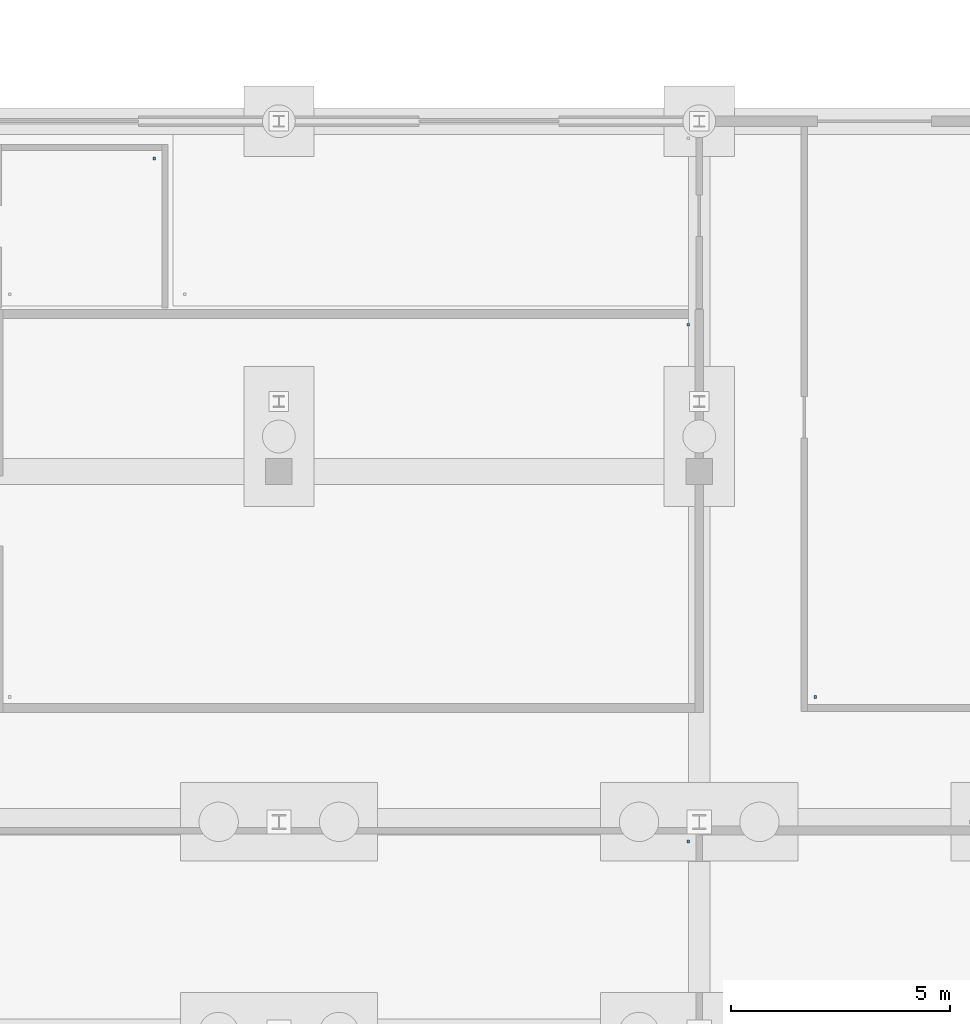
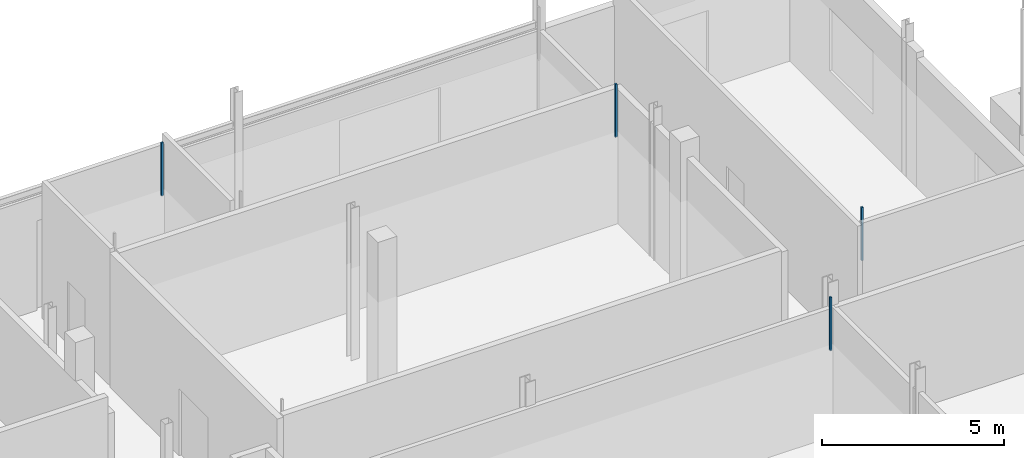
# One storey, part 81 of 111: 4 discrete accessories.
"""IFC4 building model written with IfcOpenShell, lengths in metres."""

import ifcopenshell
import ifcopenshell.guid

model = None  # the IFC model being written
_history = None  # IfcOwnerHistory: only IFC2X3 demands one
_inside = {}  # id of a spatial element -> (the spatial element, [elements in it])
_under = {}  # id of a project, library or spatial element -> (it, [spatial elements below it])
_declared = {}  # id of a project -> (the project, [libraries it declares])
_typed = {}  # id of a type object -> (the type object, [elements of that type])
_made_of = {}  # id of a material, layer set ... -> (it, [elements and type objects made of it])


def new_model(schema):
    """Start an empty IFC model of exactly this schema.

    Asked for "IFC4X3", IfcOpenShell would pick the latest addendum, in which some entities
    have other attributes; the version numbers below select the first issue.
    IFC2X3 requires an IfcOwnerHistory on every rooted entity: one is made here for all.
    """
    global model, _history
    if schema == "IFC4X3":
        model = ifcopenshell.file(schema_version=(4, 3, 0, 0))
    else:
        model = ifcopenshell.file(schema=schema)
    _inside.clear()
    _under.clear()
    _declared.clear()
    _typed.clear()
    _made_of.clear()
    _history = None
    if model.schema == "IFC2X3":
        org = make("IfcOrganization", Name="unknown")
        user = make(
            "IfcPersonAndOrganization",
            ThePerson=make("IfcPerson", FamilyName="unknown"),
            TheOrganization=org,
        )
        app = make(
            "IfcApplication",
            ApplicationDeveloper=org,
            Version="unknown",
            ApplicationFullName="unknown",
            ApplicationIdentifier="unknown",
        )
        _history = make(
            "IfcOwnerHistory",
            OwningUser=user,
            OwningApplication=app,
            ChangeAction="ADDED",
            CreationDate=0,
        )
    return model


def make(cls, **values):
    """One entity of the class cls with the attributes given. An attribute that is None is left unset."""
    return model.create_entity(
        cls, **{name: value for name, value in values.items() if value is not None}
    )


def rooted(cls, **values):
    """An entity with a GlobalId (a new one), such as an element, a storey or a relation."""
    return make(cls, GlobalId=ifcopenshell.guid.new(), OwnerHistory=_history, **values)


def si_unit(unit_type, name, prefix=None):
    """IfcSIUnit, for example si_unit("LENGTHUNIT", "METRE", prefix="MILLI")."""
    return make("IfcSIUnit", UnitType=unit_type, Prefix=prefix, Name=name)


def assignment(units):
    """IfcUnitAssignment: the units of a project."""
    return None if units is None else make("IfcUnitAssignment", Units=units)


def point(xyz):
    """IfcCartesianPoint."""
    return None if xyz is None else make("IfcCartesianPoint", Coordinates=xyz)


def direction(xyz):
    """IfcDirection."""
    return None if xyz is None else make("IfcDirection", DirectionRatios=xyz)


def frame(location, z_axis=None, x_axis=None):
    """IfcAxis2Placement3D, a coordinate frame: its origin and axes. An axis left out is left unset."""
    return make(
        "IfcAxis2Placement3D",
        Location=point(location),
        Axis=direction(z_axis),
        RefDirection=direction(x_axis),
    )


def origin():
    """The frame at (0, 0, 0) with its axes left unset."""
    return frame((0.0, 0.0, 0.0))


def place(relative_to, where):
    """IfcLocalPlacement: puts the frame where relative to a parent placement (None: the world)."""
    return make(
        "IfcLocalPlacement", PlacementRelTo=relative_to, RelativePlacement=where
    )


def context(
    kind, dimensions, precision=None, world=None, true_north=None, identifier=None
):
    """IfcGeometricRepresentationContext, for example the 3D "Model" context."""
    return make(
        "IfcGeometricRepresentationContext",
        ContextIdentifier=identifier,
        ContextType=kind,
        CoordinateSpaceDimension=dimensions,
        Precision=precision,
        WorldCoordinateSystem=world,
        TrueNorth=true_north,
    )


def subcontext(parent, identifier, kind, view, scale=None):
    """IfcGeometricRepresentationSubContext, for example "Body" below "Model"."""
    return make(
        "IfcGeometricRepresentationSubContext",
        ContextIdentifier=identifier,
        ContextType=kind,
        ParentContext=parent,
        TargetScale=scale,
        TargetView=view,
    )


def project(units=None, contexts=None):
    """IfcProject with its units and contexts."""
    return rooted(
        "IfcProject",
        Name="project",
        RepresentationContexts=contexts,
        UnitsInContext=assignment(units),
    )


def spatial(cls, under=None, at=None, **own):
    """A site, building, storey or space (cls), placed at a placement, below another one or the project."""
    s = rooted(cls, ObjectPlacement=at, **own)
    if under is not None:
        _under.setdefault(under.id(), (under, []))[1].append(s)
    return s


def polyline(points):
    """IfcPolyline through the points."""
    return make("IfcPolyline", Points=[point(p) for p in points])


def outline(outer, holes=None, kind="AREA"):
    """IfcArbitraryClosedProfileDef: a profile drawn as a closed curve; with holes, ...WithVoids."""
    if holes is None:
        return make("IfcArbitraryClosedProfileDef", ProfileType=kind, OuterCurve=outer)
    return make(
        "IfcArbitraryProfileDefWithVoids",
        ProfileType=kind,
        OuterCurve=outer,
        InnerCurves=holes,
    )


def extrude(swept, where, along, depth):
    """IfcExtrudedAreaSolid: the profile swept, set in the frame where, extruded along a direction by depth."""
    return make(
        "IfcExtrudedAreaSolid",
        SweptArea=swept,
        Position=where,
        ExtrudedDirection=direction(along),
        Depth=depth,
    )


def shape(context_of_items, identifier, shape_type, items):
    """IfcShapeRepresentation: the items that make up one representation, for example the "Body"."""
    return make(
        "IfcShapeRepresentation",
        ContextOfItems=context_of_items,
        RepresentationIdentifier=identifier,
        RepresentationType=shape_type,
        Items=items,
    )


def material(Name=None, Category=None):
    """IfcMaterial."""
    return make("IfcMaterial", Name=Name, Category=Category)


def made_of(thing, what):
    """Note that an element or type object is made of a material, layer set ...; save() writes the relation."""
    if what is not None:
        _made_of.setdefault(what.id(), (what, []))[1].append(thing)
    return thing


def type_object(cls, material=None, **own):
    """A type object (cls), such as IfcWallType, which elements share."""
    return made_of(rooted(cls, **own), material)


def element(
    cls,
    number,
    at=None,
    inside=None,
    cuts=None,
    type_object=None,
    material=None,
    context=None,
    identifier="Body",
    shape_type=None,
    held_by="IfcProductDefinitionShape",
    body=None,
    shapes=None,
    **own,
):
    """One element of the class cls, such as IfcWall. Its Tag is "e" and its number.

    at: its placement. inside: the storey or other place that contains it. cuts: it is an
    opening in that element (IfcRelVoidsElement). A single representation is given by context,
    identifier, shape_type and body (its items); several are given by shapes. held_by: the class
    of the entity that holds the representations. save() writes the other relations.
    """
    e = rooted(cls, Tag="e%d" % number, ObjectPlacement=at, **own)
    if body is not None:
        shapes = [shape(context, identifier, shape_type, body)]
    if shapes is not None:
        e.Representation = make(held_by, Representations=shapes)
    if inside is not None:
        _inside.setdefault(inside.id(), (inside, []))[1].append(e)
    if cuts is not None:
        rooted(
            "IfcRelVoidsElement", RelatingBuildingElement=cuts, RelatedOpeningElement=e
        )
    if type_object is not None:
        _typed.setdefault(type_object.id(), (type_object, []))[1].append(e)
    return made_of(e, material)


def aggregate(whole, parts):
    """IfcRelAggregates: a whole, such as a stair, and the parts it consists of."""
    return rooted("IfcRelAggregates", RelatingObject=whole, RelatedObjects=parts)


def save(model, path):
    """Write the relations noted so far, then the file.

    IfcRelAggregates (storeys below a building ...), IfcRelContainedInSpatialStructure (elements
    in a storey), IfcRelDefinesByType, IfcRelAssociatesMaterial and IfcRelDeclares: one each for
    every whole, place, type object, material and project.
    """
    for whole, parts in _under.values():
        aggregate(whole, parts)
    for where, things in _inside.values():
        rooted(
            "IfcRelContainedInSpatialStructure",
            RelatedElements=things,
            RelatingStructure=where,
        )
    for kind, things in _typed.values():
        rooted("IfcRelDefinesByType", RelatedObjects=things, RelatingType=kind)
    for what, things in _made_of.values():
        rooted("IfcRelAssociatesMaterial", RelatedObjects=things, RelatingMaterial=what)
    for by, libraries in _declared.values():
        rooted("IfcRelDeclares", RelatingContext=by, RelatedDefinitions=libraries)
    model.write(path)


model = new_model("IFC4")

# Units and contexts
model_context = context("Model", 3, precision=1e-05, world=origin(), true_north=direction((0.0, 1.0)))
body_context = subcontext(model_context, "Body", "Model", "MODEL_VIEW")
ifc_project = project(units=[si_unit("LENGTHUNIT", "METRE"), si_unit("AREAUNIT", "SQUARE_METRE"), si_unit("VOLUMEUNIT", "CUBIC_METRE"), si_unit("PLANEANGLEUNIT", "RADIAN"), si_unit("MASSUNIT", "GRAM", prefix="KILO")], contexts=[model_context])

# Site, building, storey
site_placement = place(None, origin())
site = spatial("IfcSite", under=ifc_project, at=site_placement, CompositionType="ELEMENT")
building_placement = place(site_placement, origin())
building = spatial("IfcBuilding", under=site, at=building_placement, Name="Dunescarp Central Library", CompositionType="ELEMENT")
storey_placement = place(building_placement, origin())
storey = spatial("IfcBuildingStorey", under=building, at=storey_placement, Name="L00", CompositionType="ELEMENT", Elevation=0.0)

# Discrete accessories
ifc_material = material(Name="Stainless steel Grade 316L", Category="steel")
discrete_accessory_type = type_object("IfcDiscreteAccessoryType", Name="ARC-ACC-BRK", PredefinedType="BRACKET", material=ifc_material)
discrete_accessory_1_placement = place(storey_placement, frame((0.0, 0.0, 3.06005859375)))
element("IfcDiscreteAccessory", 1, at=discrete_accessory_1_placement, inside=storey, type_object=discrete_accessory_type, Name="L00 ceiling hanger CLG-L00-093-H2", PredefinedType="BRACKET", context=body_context, shape_type="SweptSolid", body=[
    extrude(outline(polyline([(116.52001953125, 33.1201171875), (116.580078125, 33.1201171875), (116.580078125, 33.179931640625), (116.52001953125, 33.179931640625), (116.52001953125, 33.1201171875)])), origin(), (0.0, 0.0, 1.0), 1.780029296875),
])
discrete_accessory_2_placement = place(storey_placement, frame((0.0, 0.0, 3.06005859375)))
element("IfcDiscreteAccessory", 2, at=discrete_accessory_2_placement, inside=storey, type_object=discrete_accessory_type, Name="L00 ceiling hanger CLG-L00-113-H2", PredefinedType="BRACKET", context=body_context, shape_type="SweptSolid", body=[
    extrude(outline(polyline([(116.52001953125, 44.919921875), (116.580078125, 44.919921875), (116.580078125, 44.97998046875), (116.52001953125, 44.97998046875), (116.52001953125, 44.919921875)])), origin(), (0.0, 0.0, 1.0), 1.780029296875),
])
discrete_accessory_3_placement = place(storey_placement, frame((0.0, 0.0, 3.06005859375)))
element("IfcDiscreteAccessory", 3, at=discrete_accessory_3_placement, inside=storey, type_object=discrete_accessory_type, Name="L00 ceiling hanger CLG-L00-114-H2", PredefinedType="BRACKET", context=body_context, shape_type="SweptSolid", body=[
    extrude(outline(polyline([(104.320068359375, 48.719970703125), (104.3798828125, 48.719970703125), (104.3798828125, 48.780029296875), (104.320068359375, 48.780029296875), (104.320068359375, 48.719970703125)])), origin(), (0.0, 0.0, 1.0), 1.780029296875),
])
discrete_accessory_4_placement = place(storey_placement, frame((0.0, 0.0, 3.06005859375)))
element("IfcDiscreteAccessory", 4, at=discrete_accessory_4_placement, inside=storey, type_object=discrete_accessory_type, Name="L00 ceiling hanger CLG-L00-116-H1", PredefinedType="BRACKET", context=body_context, shape_type="SweptSolid", body=[
    extrude(outline(polyline([(119.419921875, 36.419921875), (119.47998046875, 36.419921875), (119.47998046875, 36.47998046875), (119.419921875, 36.47998046875), (119.419921875, 36.419921875)])), origin(), (0.0, 0.0, 1.0), 1.780029296875),
])

save(model, "model.ifc")
